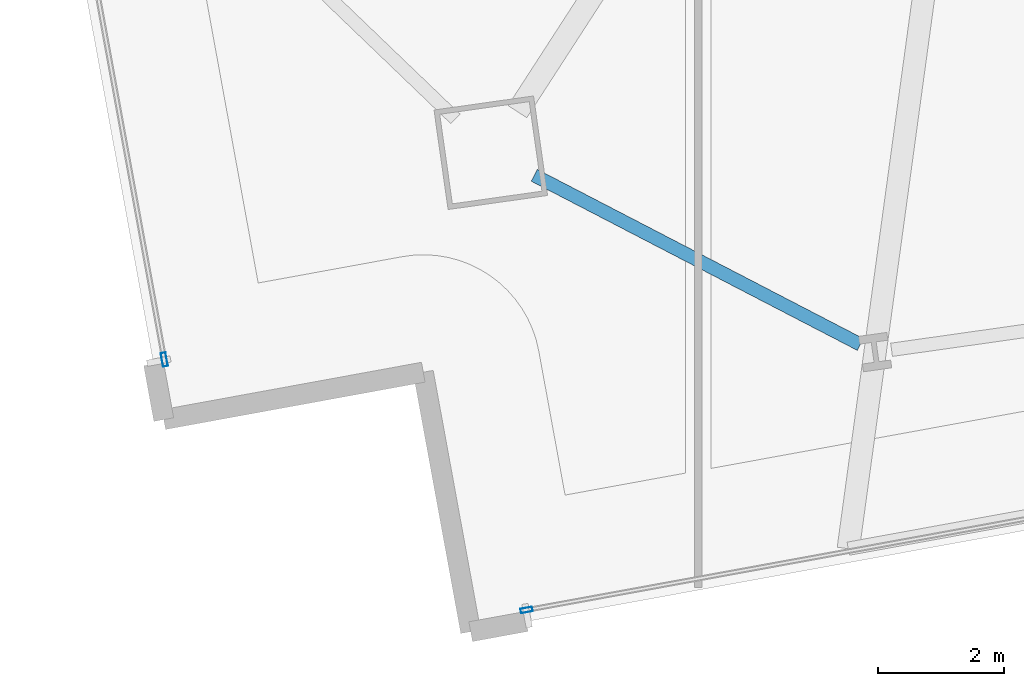
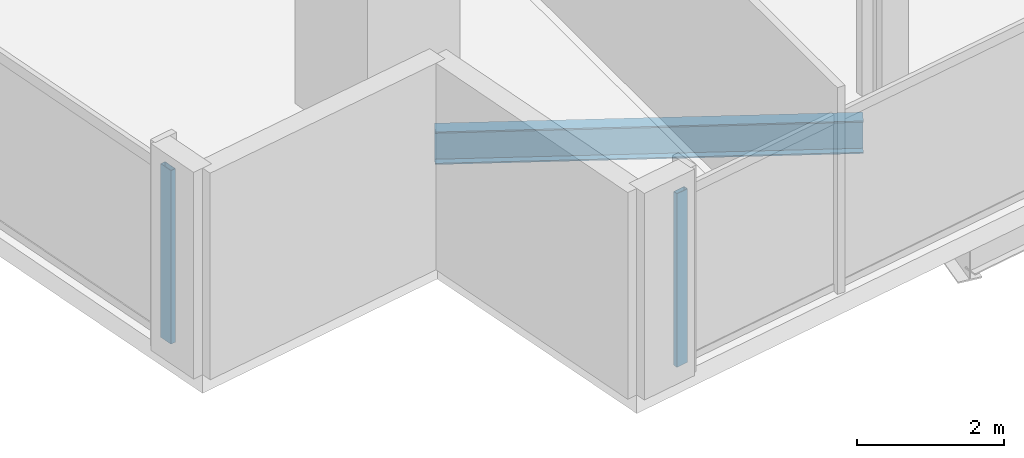
# One storey, part 2 of 34: 2 members, 1 beam, 2 elements without a shape of their own.
"""IFC4 building model written with IfcOpenShell, lengths in metres."""

from ifc_helpers import new_model, si_unit, direction, frame, origin, origin_2d, place, context, subcontext, project, spatial, hollow_rectangle, i_section, extrude, material, material_profile, profile_set, type_object, element, aggregate, save


model = new_model("IFC4")

# Units and contexts
model_context = context("Model", 3, precision=1e-05, world=origin(), true_north=direction((0.0, 1.0)))
body_context = subcontext(model_context, "Body", "Model", "MODEL_VIEW")
ifc_project = project(units=[si_unit("LENGTHUNIT", "METRE"), si_unit("AREAUNIT", "SQUARE_METRE"), si_unit("VOLUMEUNIT", "CUBIC_METRE"), si_unit("PLANEANGLEUNIT", "RADIAN"), si_unit("MASSUNIT", "GRAM", prefix="KILO")], contexts=[model_context])

# Site, building, storey
site_placement = place(None, origin())
site = spatial("IfcSite", under=ifc_project, at=site_placement, CompositionType="ELEMENT")
building_placement = place(site_placement, origin())
building = spatial("IfcBuilding", under=site, at=building_placement, Name="Haldenkirk Collegiate Tower", CompositionType="ELEMENT")
storey_placement = place(building_placement, frame((0.0, 0.0, 62.699951171875)))
storey = spatial("IfcBuildingStorey", under=building, at=storey_placement, Name="L14", CompositionType="ELEMENT", Elevation=62.699951171875)

# Beam
ifc_material_1 = material(Name="Steel ASTM A992 Grade 50", Category="steel")
ifc_material_profile_1 = material_profile(ifc_material_1, i_section(OverallWidth=0.2119140625, OverallDepth=0.5439453125, WebThickness=0.01318359375, FlangeThickness=0.021240234375, at=origin_2d()), Name="W21X83")
ifc_profile_set_1 = profile_set([ifc_material_profile_1], Name="Steel ASTM A992 Grade 50")
beam_type = type_object("IfcBeamType", Name="BM-SPANDREL-W21X83", PredefinedType="SPANDREL", material=ifc_profile_set_1)
beam_placement = place(storey_placement, frame((19.388671875, 4.8125, -0.58203125), z_axis=(0.887640153988, -0.460537682528, 0.0), x_axis=(0.460537682528, 0.887640153988, 0.0)))
element("IfcBeam", 1, at=beam_placement, inside=storey, type_object=beam_type, Name="L14 perimeter spandrel beam 01", PredefinedType="SPANDREL", context=body_context, shape_type="SweptSolid", body=[
    extrude(i_section(OverallWidth=0.2119140625, OverallDepth=0.5439453125, WebThickness=0.01318359375, FlangeThickness=0.021240234375, at=origin_2d()), origin(), (0.0, 0.0, 1.0), 5.848876953125),
])

# Curtain wall, member
ifc_material_2 = material(Name="Anodised architectural bronze aluminium", Category="aluminium")
curtain_wall_type_1 = type_object("IfcCurtainWallType", Name="CW-SYS2-CONCAVE", PredefinedType="USERDEFINED", material=ifc_material_2)
curtain_wall_1_placement = place(storey_placement, origin())
curtain_wall_1 = element("IfcCurtainWall", 2, at=curtain_wall_1_placement, inside=storey, type_object=curtain_wall_type_1, Name="L14 South concave recessed bronze-anodised curtain wall", ObjectType="UNITISED CURTAIN WALL", PredefinedType="USERDEFINED")
ifc_material_profile_2 = material_profile(ifc_material_2, hollow_rectangle(XDim=0.074951171875, YDim=0.18994140625, WallThickness=0.0048828125, at=origin_2d()), Name="CW-MUL-02")
ifc_profile_set_2 = profile_set([ifc_material_profile_2], Name="Anodised architectural bronze aluminium")
member_type_1 = type_object("IfcMemberType", Name="CW-MUL-02", PredefinedType="MULLION", material=ifc_profile_set_2)
member_1_placement = place(storey_placement, frame((19.265380859375, -2.10888671875, 0.0), z_axis=(0.0, 0.0, 1.0), x_axis=(0.179659417405, -0.983728872067, 0.0)))
member_1 = element("IfcMember", 3, at=member_1_placement, type_object=member_type_1, Name="CW-02 mullion 5", PredefinedType="MULLION", context=body_context, shape_type="SweptSolid", body=[
    extrude(hollow_rectangle(XDim=0.074951171875, YDim=0.18994140625, WallThickness=0.0048828125, at=origin_2d()), origin(), (0.0, 0.0, 1.0), 2.89111328125),
])
aggregate(curtain_wall_1, [member_1])

curtain_wall_type_2 = type_object("IfcCurtainWallType", Name="CW-SYS1-CONVEX-LOW", PredefinedType="USERDEFINED", material=ifc_material_2)
curtain_wall_2_placement = place(storey_placement, origin())
curtain_wall_2 = element("IfcCurtainWall", 4, at=curtain_wall_2_placement, inside=storey, type_object=curtain_wall_type_2, Name="L14 Lower tower convex bronze-framed unitised curtain wall", ObjectType="UNITISED CURTAIN WALL", PredefinedType="USERDEFINED")
ifc_material_profile_3 = material_profile(ifc_material_2, hollow_rectangle(XDim=0.080078125, YDim=0.219970703125, WallThickness=0.0048828125, at=origin_2d()), Name="CW-MUL-1A")
ifc_profile_set_3 = profile_set([ifc_material_profile_3], Name="Anodised architectural bronze aluminium")
member_type_2 = type_object("IfcMemberType", Name="CW-MUL-1A", PredefinedType="MULLION", material=ifc_profile_set_3)
member_2_placement = place(storey_placement, frame((13.497314453125, 1.879638671875, 0.0), z_axis=(0.0, 0.0, 1.0), x_axis=(-0.983728733251, -0.179660177491, 0.0)))
member_2 = element("IfcMember", 5, at=member_2_placement, type_object=member_type_2, Name="CW-1A mullion 1", PredefinedType="MULLION", context=body_context, shape_type="SweptSolid", body=[
    extrude(hollow_rectangle(XDim=0.080078125, YDim=0.219970703125, WallThickness=0.0048828125, at=origin_2d()), origin(), (0.0, 0.0, 1.0), 2.89111328125),
])
aggregate(curtain_wall_2, [member_2])

save(model, "model.ifc")
